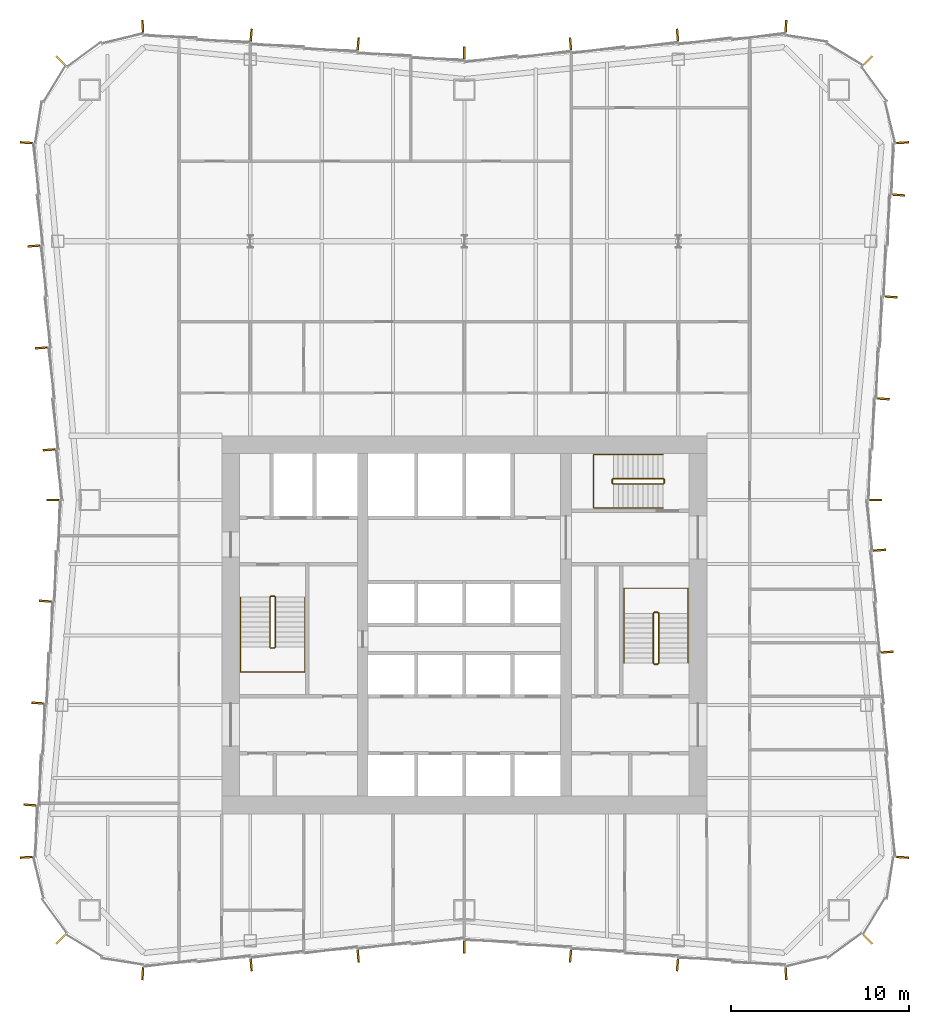
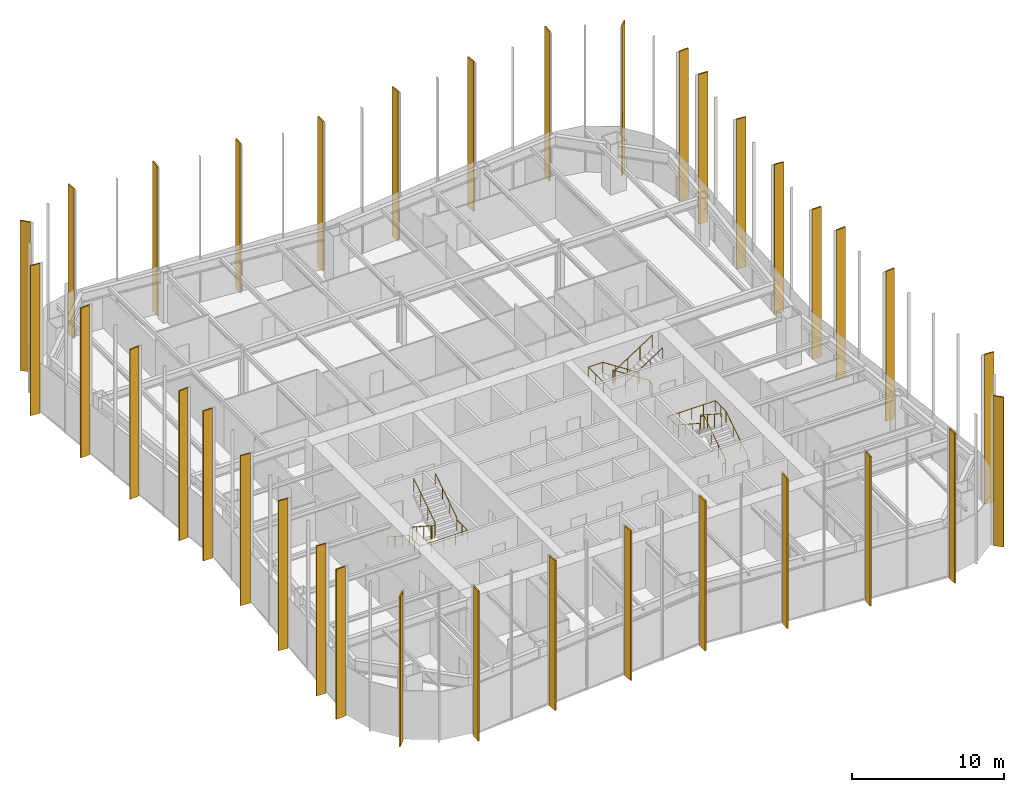
# One storey, part 13 of 13: 35 shading devices, 6 railings.
"""IFC4 building model written with IfcOpenShell, lengths in metres."""

from ifc_helpers import new_model, si_unit, direction, frame, origin, origin_2d, place, context, subcontext, project, spatial, rectangle, circle, extrude, material, layer, layer_set, type_object, element, save


model = new_model("IFC4")

# Units and contexts
model_context = context("Model", 3, precision=1e-05, world=origin(), true_north=direction((0.0, 1.0)))
body_context = subcontext(model_context, "Body", "Model", "MODEL_VIEW")
ifc_project = project(units=[si_unit("LENGTHUNIT", "METRE"), si_unit("AREAUNIT", "SQUARE_METRE"), si_unit("VOLUMEUNIT", "CUBIC_METRE"), si_unit("PLANEANGLEUNIT", "RADIAN"), si_unit("MASSUNIT", "GRAM", prefix="KILO")], contexts=[model_context])

# Site, building, storey
site_placement = place(None, origin())
site = spatial("IfcSite", under=ifc_project, at=site_placement, CompositionType="ELEMENT")
building_placement = place(site_placement, origin())
building = spatial("IfcBuilding", under=site, at=building_placement, Name="Verdant Reach Tower", CompositionType="ELEMENT")
storey_placement = place(building_placement, frame((0.0, 0.0, 138.0)))
storey = spatial("IfcBuildingStorey", under=building, at=storey_placement, Name="L31", CompositionType="ELEMENT", Elevation=138.0)

# Railings
ifc_material_1 = material(Name="Stainless steel", Category="steel")
railing_type_1 = type_object("IfcRailingType", Name="CO-GUARD", PredefinedType="GUARDRAIL", material=ifc_material_1)
railing_1_placement = place(storey_placement, frame((-10.64990234375, 29.60009765625, 0.0)))
element("IfcRailing", 1, at=railing_1_placement, inside=storey, type_object=railing_type_1, Name="L31 ST-1 stair guard 1", PredefinedType="GUARDRAIL", context=body_context, shape_type="SweptSolid", body=[
    extrude(circle(Radius=0.02392578125, at=origin_2d()), frame((0.0, 0.0, 1.076171875), z_axis=(-1.0, 0.0, 0.0), x_axis=(0.0, -1.0, 0.0)), (0.0, 0.0, 1.0), 0.2001953125),
    extrude(circle(Radius=0.02392578125, at=origin_2d()), frame((-0.2001953125, 0.0, 1.076171875), z_axis=(-0.25526617399, -0.256517478764, 0.932222056972), x_axis=(0.708833529934, -0.705375805398, 0.0)), (0.0, 0.0, 1.0), 0.195068359375),
    extrude(circle(Radius=0.02392578125, at=origin_2d()), frame((-0.25, -0.050048828125, 1.2578125), z_axis=(0.0, -0.838705829183, 0.544584733623), x_axis=(1.0, 0.0, 0.0)), (0.0, 0.0, 1.0), 3.338623046875),
    extrude(circle(Radius=0.02392578125, at=origin_2d()), frame((-0.25, -2.85009765625, 3.076171875), z_axis=(0.705375805398, -0.708833529934, 0.0), x_axis=(0.708833529934, 0.705375805398, 0.0)), (0.0, 0.0, 1.0), 0.070556640625),
    extrude(circle(Radius=0.02392578125, at=origin_2d()), frame((-0.2001953125, -2.900146484375, 3.076171875), z_axis=(1.0, 0.0, 0.0), x_axis=(0.0, 1.0, 0.0)), (0.0, 0.0, 1.0), 0.2001953125),
    extrude(circle(Radius=0.02392578125, at=origin_2d()), frame((0.0, -2.900146484375, 3.076171875), z_axis=(0.25526617399, 0.256517478764, 0.932222056972), x_axis=(-0.708833529934, 0.705375805398, 0.0)), (0.0, 0.0, 1.0), 0.195068359375),
    extrude(circle(Radius=0.02392578125, at=origin_2d()), frame((0.0498046875, -2.85009765625, 3.2578125), z_axis=(0.0, 0.838705829183, 0.544584733623), x_axis=(-1.0, 0.0, 0.0)), (0.0, 0.0, 1.0), 3.338623046875),
    extrude(circle(Radius=0.02099609375, at=origin_2d()), origin(), (0.0, 0.0, 1.0), 1.052001953125),
    extrude(circle(Radius=0.02099609375, at=origin_2d()), frame((-0.2001953125, 0.0, 0.0)), (0.0, 0.0, 1.0), 1.052001953125),
    extrude(circle(Radius=0.02099609375, at=origin_2d()), frame((-0.25, -0.050048828125, 0.181884765625)), (0.0, 0.0, 1.0), 1.052001953125),
    extrude(circle(Radius=0.02099609375, at=origin_2d()), frame((-0.25, -0.9833984375, 0.787841796875)), (0.0, 0.0, 1.0), 1.052001953125),
    extrude(circle(Radius=0.02099609375, at=origin_2d()), frame((-0.25, -1.916748046875, 1.39404296875)), (0.0, 0.0, 1.0), 1.052001953125),
    extrude(circle(Radius=0.02099609375, at=origin_2d()), frame((-0.25, -2.85009765625, 2.0)), (0.0, 0.0, 1.0), 1.052001953125),
    extrude(circle(Radius=0.02099609375, at=origin_2d()), frame((-0.2001953125, -2.900146484375, 2.0)), (0.0, 0.0, 1.0), 1.052001953125),
    extrude(circle(Radius=0.02099609375, at=origin_2d()), frame((0.0, -2.900146484375, 2.0)), (0.0, 0.0, 1.0), 1.052001953125),
    extrude(circle(Radius=0.02099609375, at=origin_2d()), frame((0.0498046875, -2.85009765625, 2.181884765625)), (0.0, 0.0, 1.0), 1.052001953125),
    extrude(circle(Radius=0.02099609375, at=origin_2d()), frame((0.0498046875, -1.916748046875, 2.787841796875)), (0.0, 0.0, 1.0), 1.052001953125),
    extrude(circle(Radius=0.02099609375, at=origin_2d()), frame((0.0498046875, -0.9833984375, 3.39404296875)), (0.0, 0.0, 1.0), 1.052001953125),
    extrude(circle(Radius=0.02099609375, at=origin_2d()), frame((0.0498046875, -0.050048828125, 4.0)), (0.0, 0.0, 1.0), 1.052001953125),
])
railing_2_placement = place(storey_placement, frame((10.64990234375, 25.800048828125, 0.0)))
element("IfcRailing", 2, at=railing_2_placement, inside=storey, type_object=railing_type_1, Name="L31 ST-2 stair guard 1", PredefinedType="GUARDRAIL", context=body_context, shape_type="SweptSolid", body=[
    extrude(circle(Radius=0.02392578125, at=origin_2d()), frame((0.0, 0.0, 1.076171875), z_axis=(1.0, 0.0, 0.0), x_axis=(0.0, 1.0, 0.0)), (0.0, 0.0, 1.0), 0.2001953125),
    extrude(circle(Radius=0.02392578125, at=origin_2d()), frame((0.2001953125, 0.0, 1.076171875), z_axis=(0.25526617399, 0.256517478764, 0.932222056972), x_axis=(-0.708833529934, 0.705375805398, 0.0)), (0.0, 0.0, 1.0), 0.195068359375),
    extrude(circle(Radius=0.02392578125, at=origin_2d()), frame((0.25, 0.050048828125, 1.2578125), z_axis=(0.0, 0.83868413941, 0.544618136222), x_axis=(-1.0, 0.0, 0.0)), (0.0, 0.0, 1.0), 3.33837890625),
    extrude(circle(Radius=0.02392578125, at=origin_2d()), frame((0.25, 2.849853515625, 3.076171875), z_axis=(-0.705375805398, 0.708833529934, 0.0), x_axis=(-0.708833529934, -0.705375805398, 0.0)), (0.0, 0.0, 1.0), 0.070556640625),
    extrude(circle(Radius=0.02392578125, at=origin_2d()), frame((0.2001953125, 2.89990234375, 3.076171875), z_axis=(-1.0, 0.0, 0.0), x_axis=(0.0, -1.0, 0.0)), (0.0, 0.0, 1.0), 0.2001953125),
    extrude(circle(Radius=0.02392578125, at=origin_2d()), frame((0.0, 2.89990234375, 3.076171875), z_axis=(-0.25526617399, -0.256517478764, 0.932222056972), x_axis=(0.708833529934, -0.705375805398, 0.0)), (0.0, 0.0, 1.0), 0.195068359375),
    extrude(circle(Radius=0.02392578125, at=origin_2d()), frame((-0.0498046875, 2.849853515625, 3.2578125), z_axis=(0.0, -0.83868413941, 0.544618136222), x_axis=(1.0, 0.0, 0.0)), (0.0, 0.0, 1.0), 3.33837890625),
    extrude(circle(Radius=0.02099609375, at=origin_2d()), origin(), (0.0, 0.0, 1.0), 1.052001953125),
    extrude(circle(Radius=0.02099609375, at=origin_2d()), frame((0.2001953125, 0.0, 0.0)), (0.0, 0.0, 1.0), 1.052001953125),
    extrude(circle(Radius=0.02099609375, at=origin_2d()), frame((0.25, 0.050048828125, 0.181884765625)), (0.0, 0.0, 1.0), 1.052001953125),
    extrude(circle(Radius=0.02099609375, at=origin_2d()), frame((0.25, 0.9833984375, 0.787841796875)), (0.0, 0.0, 1.0), 1.052001953125),
    extrude(circle(Radius=0.02099609375, at=origin_2d()), frame((0.25, 1.91650390625, 1.39404296875)), (0.0, 0.0, 1.0), 1.052001953125),
    extrude(circle(Radius=0.02099609375, at=origin_2d()), frame((0.25, 2.849853515625, 2.0)), (0.0, 0.0, 1.0), 1.052001953125),
    extrude(circle(Radius=0.02099609375, at=origin_2d()), frame((0.2001953125, 2.89990234375, 2.0)), (0.0, 0.0, 1.0), 1.052001953125),
    extrude(circle(Radius=0.02099609375, at=origin_2d()), frame((0.0, 2.89990234375, 2.0)), (0.0, 0.0, 1.0), 1.052001953125),
    extrude(circle(Radius=0.02099609375, at=origin_2d()), frame((-0.0498046875, 2.849853515625, 2.181884765625)), (0.0, 0.0, 1.0), 1.052001953125),
    extrude(circle(Radius=0.02099609375, at=origin_2d()), frame((-0.0498046875, 1.91650390625, 2.787841796875)), (0.0, 0.0, 1.0), 1.052001953125),
    extrude(circle(Radius=0.02099609375, at=origin_2d()), frame((-0.0498046875, 0.9833984375, 3.39404296875)), (0.0, 0.0, 1.0), 1.052001953125),
    extrude(circle(Radius=0.02099609375, at=origin_2d()), frame((-0.0498046875, 0.050048828125, 4.0)), (0.0, 0.0, 1.0), 1.052001953125),
])
railing_3_placement = place(storey_placement, frame((11.199951171875, 35.949951171875, 0.0)))
element("IfcRailing", 3, at=railing_3_placement, inside=storey, type_object=railing_type_1, Name="L31 ST-3 stair guard 1", PredefinedType="GUARDRAIL", context=body_context, shape_type="SweptSolid", body=[
    extrude(circle(Radius=0.02392578125, at=origin_2d()), frame((0.0, 0.0, 1.076171875), z_axis=(0.0, 1.0, 0.0), x_axis=(-1.0, 0.0, 0.0)), (0.0, 0.0, 1.0), 0.199951171875),
    extrude(circle(Radius=0.02392578125, at=origin_2d()), frame((0.0, 0.199951171875, 1.076171875), z_axis=(-0.256435381639, 0.256435381639, 0.931923704005), x_axis=(-0.707106781187, -0.707106781187, 0.0)), (0.0, 0.0, 1.0), 0.195068359375),
    extrude(circle(Radius=0.02392578125, at=origin_2d()), frame((-0.050048828125, 0.25, 1.2578125), z_axis=(-0.83868413941, 0.0, 0.544618136222), x_axis=(0.0, -1.0, 0.0)), (0.0, 0.0, 1.0), 3.33837890625),
    extrude(circle(Radius=0.02392578125, at=origin_2d()), frame((-2.849853515625, 0.25, 3.076171875), z_axis=(-0.707106781187, -0.707106781187, 0.0), x_axis=(0.707106781187, -0.707106781187, 0.0)), (0.0, 0.0, 1.0), 0.07080078125),
    extrude(circle(Radius=0.02392578125, at=origin_2d()), frame((-2.89990234375, 0.199951171875, 3.076171875), z_axis=(0.0, -1.0, 0.0), x_axis=(1.0, 0.0, 0.0)), (0.0, 0.0, 1.0), 0.199951171875),
    extrude(circle(Radius=0.02392578125, at=origin_2d()), frame((-2.89990234375, 0.0, 3.076171875), z_axis=(0.256435381639, -0.256435381639, 0.931923704005), x_axis=(0.707106781187, 0.707106781187, 0.0)), (0.0, 0.0, 1.0), 0.195068359375),
    extrude(circle(Radius=0.02392578125, at=origin_2d()), frame((-2.849853515625, -0.050048828125, 3.2578125), z_axis=(0.83868413941, 0.0, 0.544618136222), x_axis=(0.0, 1.0, 0.0)), (0.0, 0.0, 1.0), 3.33837890625),
    extrude(circle(Radius=0.02099609375, at=origin_2d()), origin(), (0.0, 0.0, 1.0), 1.052001953125),
    extrude(circle(Radius=0.02099609375, at=origin_2d()), frame((0.0, 0.199951171875, 0.0)), (0.0, 0.0, 1.0), 1.052001953125),
    extrude(circle(Radius=0.02099609375, at=origin_2d()), frame((-0.050048828125, 0.25, 0.181884765625)), (0.0, 0.0, 1.0), 1.052001953125),
    extrude(circle(Radius=0.02099609375, at=origin_2d()), frame((-0.9833984375, 0.25, 0.787841796875)), (0.0, 0.0, 1.0), 1.052001953125),
    extrude(circle(Radius=0.02099609375, at=origin_2d()), frame((-1.91650390625, 0.25, 1.39404296875)), (0.0, 0.0, 1.0), 1.052001953125),
    extrude(circle(Radius=0.02099609375, at=origin_2d()), frame((-2.849853515625, 0.25, 2.0)), (0.0, 0.0, 1.0), 1.052001953125),
    extrude(circle(Radius=0.02099609375, at=origin_2d()), frame((-2.89990234375, 0.199951171875, 2.0)), (0.0, 0.0, 1.0), 1.052001953125),
    extrude(circle(Radius=0.02099609375, at=origin_2d()), frame((-2.89990234375, 0.0, 2.0)), (0.0, 0.0, 1.0), 1.052001953125),
    extrude(circle(Radius=0.02099609375, at=origin_2d()), frame((-2.849853515625, -0.050048828125, 2.181884765625)), (0.0, 0.0, 1.0), 1.052001953125),
    extrude(circle(Radius=0.02099609375, at=origin_2d()), frame((-1.91650390625, -0.050048828125, 2.787841796875)), (0.0, 0.0, 1.0), 1.052001953125),
    extrude(circle(Radius=0.02099609375, at=origin_2d()), frame((-0.9833984375, -0.050048828125, 3.39404296875)), (0.0, 0.0, 1.0), 1.052001953125),
    extrude(circle(Radius=0.02099609375, at=origin_2d()), frame((-0.050048828125, -0.050048828125, 4.0)), (0.0, 0.0, 1.0), 1.052001953125),
])
railing_type_2 = type_object("IfcRailingType", Name="CO-HANDRAIL", PredefinedType="HANDRAIL", material=ifc_material_1)
railing_4_placement = place(storey_placement, frame((-12.550048828125, 29.550048828125, 0.181884765625)))
element("IfcRailing", 4, at=railing_4_placement, inside=storey, type_object=railing_type_2, Name="L31 ST-1 stair handrail 1", PredefinedType="HANDRAIL", context=body_context, shape_type="SweptSolid", body=[
    extrude(circle(Radius=0.02392578125, at=origin_2d()), frame((0.0, 0.0, 0.8759765625), z_axis=(0.0, -0.838705829183, 0.544584733623), x_axis=(1.0, 0.0, 0.0)), (0.0, 0.0, 1.0), 3.338623046875),
    extrude(circle(Radius=0.02392578125, at=origin_2d()), frame((0.0, -2.800048828125, 2.69384765625), z_axis=(0.0, -1.0, 0.0), x_axis=(1.0, 0.0, 0.0)), (0.0, 0.0, 1.0), 1.39990234375),
    extrude(circle(Radius=0.02392578125, at=origin_2d()), frame((0.0, -4.199951171875, 2.69384765625), z_axis=(1.0, 0.0, 0.0), x_axis=(0.0, 1.0, 0.0)), (0.0, 0.0, 1.0), 3.60009765625),
    extrude(circle(Radius=0.02392578125, at=origin_2d()), frame((3.60009765625, -4.199951171875, 2.69384765625), z_axis=(0.0, 1.0, 0.0), x_axis=(-1.0, 0.0, 0.0)), (0.0, 0.0, 1.0), 1.39990234375),
    extrude(circle(Radius=0.02392578125, at=origin_2d()), frame((3.60009765625, -2.800048828125, 2.69384765625), z_axis=(0.0, 0.0, 1.0), x_axis=(1.0, 0.0, 0.0)), (0.0, 0.0, 1.0), 0.181884765625),
    extrude(circle(Radius=0.02392578125, at=origin_2d()), frame((3.60009765625, -2.800048828125, 2.8759765625), z_axis=(0.0, 0.838705829183, 0.544584733623), x_axis=(-1.0, 0.0, 0.0)), (0.0, 0.0, 1.0), 3.338623046875),
    extrude(circle(Radius=0.02099609375, at=origin_2d()), origin(), (0.0, 0.0, 1.0), 0.851806640625),
    extrude(circle(Radius=0.02099609375, at=origin_2d()), frame((0.0, -0.933349609375, 0.60595703125)), (0.0, 0.0, 1.0), 0.851806640625),
    extrude(circle(Radius=0.02099609375, at=origin_2d()), frame((0.0, -1.86669921875, 1.212158203125)), (0.0, 0.0, 1.0), 0.851806640625),
    extrude(circle(Radius=0.02099609375, at=origin_2d()), frame((0.0, -2.800048828125, 1.818115234375)), (0.0, 0.0, 1.0), 0.851806640625),
    extrude(circle(Radius=0.02099609375, at=origin_2d()), frame((0.0, -3.5, 1.818115234375)), (0.0, 0.0, 1.0), 0.851806640625),
    extrude(circle(Radius=0.02099609375, at=origin_2d()), frame((0.0, -4.199951171875, 1.818115234375)), (0.0, 0.0, 1.0), 0.851806640625),
    extrude(circle(Radius=0.02099609375, at=origin_2d()), frame((0.89990234375, -4.199951171875, 1.818115234375)), (0.0, 0.0, 1.0), 0.851806640625),
    extrude(circle(Radius=0.02099609375, at=origin_2d()), frame((1.800048828125, -4.199951171875, 1.818115234375)), (0.0, 0.0, 1.0), 0.851806640625),
    extrude(circle(Radius=0.02099609375, at=origin_2d()), frame((2.7001953125, -4.199951171875, 1.818115234375)), (0.0, 0.0, 1.0), 0.851806640625),
    extrude(circle(Radius=0.02099609375, at=origin_2d()), frame((3.60009765625, -4.199951171875, 1.818115234375)), (0.0, 0.0, 1.0), 0.851806640625),
    extrude(circle(Radius=0.02099609375, at=origin_2d()), frame((3.60009765625, -3.5, 1.818115234375)), (0.0, 0.0, 1.0), 0.851806640625),
    extrude(circle(Radius=0.02099609375, at=origin_2d()), frame((3.60009765625, -2.800048828125, 1.818115234375)), (0.0, 0.0, 1.0), 0.851806640625),
    extrude(circle(Radius=0.02099609375, at=origin_2d()), frame((3.60009765625, -2.800048828125, 2.0)), (0.0, 0.0, 1.0), 0.851806640625),
    extrude(circle(Radius=0.02099609375, at=origin_2d()), frame((3.60009765625, -1.86669921875, 2.60595703125)), (0.0, 0.0, 1.0), 0.851806640625),
    extrude(circle(Radius=0.02099609375, at=origin_2d()), frame((3.60009765625, -0.933349609375, 3.212158203125)), (0.0, 0.0, 1.0), 0.851806640625),
    extrude(circle(Radius=0.02099609375, at=origin_2d()), frame((3.60009765625, 0.0, 3.818115234375)), (0.0, 0.0, 1.0), 0.851806640625),
])
railing_5_placement = place(storey_placement, frame((12.550048828125, 25.85009765625, 0.181884765625)))
element("IfcRailing", 5, at=railing_5_placement, inside=storey, type_object=railing_type_2, Name="L31 ST-2 stair handrail 1", PredefinedType="HANDRAIL", context=body_context, shape_type="SweptSolid", body=[
    extrude(circle(Radius=0.02392578125, at=origin_2d()), frame((0.0, 0.0, 0.8759765625), z_axis=(0.0, 0.83868413941, 0.544618136222), x_axis=(-1.0, 0.0, 0.0)), (0.0, 0.0, 1.0), 3.33837890625),
    extrude(circle(Radius=0.02392578125, at=origin_2d()), frame((0.0, 2.7998046875, 2.69384765625), z_axis=(0.0, 1.0, 0.0), x_axis=(-1.0, 0.0, 0.0)), (0.0, 0.0, 1.0), 1.400146484375),
    extrude(circle(Radius=0.02392578125, at=origin_2d()), frame((0.0, 4.199951171875, 2.69384765625), z_axis=(-1.0, 0.0, 0.0), x_axis=(0.0, -1.0, 0.0)), (0.0, 0.0, 1.0), 3.60009765625),
    extrude(circle(Radius=0.02392578125, at=origin_2d()), frame((-3.60009765625, 4.199951171875, 2.69384765625), z_axis=(0.0, -1.0, 0.0), x_axis=(1.0, 0.0, 0.0)), (0.0, 0.0, 1.0), 1.400146484375),
    extrude(circle(Radius=0.02392578125, at=origin_2d()), frame((-3.60009765625, 2.7998046875, 2.69384765625), z_axis=(0.0, 0.0, 1.0), x_axis=(1.0, 0.0, 0.0)), (0.0, 0.0, 1.0), 0.181884765625),
    extrude(circle(Radius=0.02392578125, at=origin_2d()), frame((-3.60009765625, 2.7998046875, 2.8759765625), z_axis=(0.0, -0.83868413941, 0.544618136222), x_axis=(1.0, 0.0, 0.0)), (0.0, 0.0, 1.0), 3.33837890625),
    extrude(circle(Radius=0.02099609375, at=origin_2d()), origin(), (0.0, 0.0, 1.0), 0.851806640625),
    extrude(circle(Radius=0.02099609375, at=origin_2d()), frame((0.0, 0.933349609375, 0.60595703125)), (0.0, 0.0, 1.0), 0.851806640625),
    extrude(circle(Radius=0.02099609375, at=origin_2d()), frame((0.0, 1.866455078125, 1.212158203125)), (0.0, 0.0, 1.0), 0.851806640625),
    extrude(circle(Radius=0.02099609375, at=origin_2d()), frame((0.0, 2.7998046875, 1.818115234375)), (0.0, 0.0, 1.0), 0.851806640625),
    extrude(circle(Radius=0.02099609375, at=origin_2d()), frame((0.0, 3.5, 1.818115234375)), (0.0, 0.0, 1.0), 0.851806640625),
    extrude(circle(Radius=0.02099609375, at=origin_2d()), frame((0.0, 4.199951171875, 1.818115234375)), (0.0, 0.0, 1.0), 0.851806640625),
    extrude(circle(Radius=0.02099609375, at=origin_2d()), frame((-0.89990234375, 4.199951171875, 1.818115234375)), (0.0, 0.0, 1.0), 0.851806640625),
    extrude(circle(Radius=0.02099609375, at=origin_2d()), frame((-1.800048828125, 4.199951171875, 1.818115234375)), (0.0, 0.0, 1.0), 0.851806640625),
    extrude(circle(Radius=0.02099609375, at=origin_2d()), frame((-2.7001953125, 4.199951171875, 1.818115234375)), (0.0, 0.0, 1.0), 0.851806640625),
    extrude(circle(Radius=0.02099609375, at=origin_2d()), frame((-3.60009765625, 4.199951171875, 1.818115234375)), (0.0, 0.0, 1.0), 0.851806640625),
    extrude(circle(Radius=0.02099609375, at=origin_2d()), frame((-3.60009765625, 3.5, 1.818115234375)), (0.0, 0.0, 1.0), 0.851806640625),
    extrude(circle(Radius=0.02099609375, at=origin_2d()), frame((-3.60009765625, 2.7998046875, 1.818115234375)), (0.0, 0.0, 1.0), 0.851806640625),
    extrude(circle(Radius=0.02099609375, at=origin_2d()), frame((-3.60009765625, 2.7998046875, 2.0)), (0.0, 0.0, 1.0), 0.851806640625),
    extrude(circle(Radius=0.02099609375, at=origin_2d()), frame((-3.60009765625, 1.866455078125, 2.60595703125)), (0.0, 0.0, 1.0), 0.851806640625),
    extrude(circle(Radius=0.02099609375, at=origin_2d()), frame((-3.60009765625, 0.933349609375, 3.212158203125)), (0.0, 0.0, 1.0), 0.851806640625),
    extrude(circle(Radius=0.02099609375, at=origin_2d()), frame((-3.60009765625, 0.0, 3.818115234375)), (0.0, 0.0, 1.0), 0.851806640625),
])
railing_6_placement = place(storey_placement, frame((11.14990234375, 37.550048828125, 0.181884765625)))
element("IfcRailing", 6, at=railing_6_placement, inside=storey, type_object=railing_type_2, Name="L31 ST-3 stair handrail 1", PredefinedType="HANDRAIL", context=body_context, shape_type="SweptSolid", body=[
    extrude(circle(Radius=0.02392578125, at=origin_2d()), frame((0.0, 0.0, 0.8759765625), z_axis=(-0.83868413941, 0.0, 0.544618136222), x_axis=(0.0, -1.0, 0.0)), (0.0, 0.0, 1.0), 3.33837890625),
    extrude(circle(Radius=0.02392578125, at=origin_2d()), frame((-2.7998046875, 0.0, 2.69384765625), z_axis=(-1.0, 0.0, 0.0), x_axis=(0.0, -1.0, 0.0)), (0.0, 0.0, 1.0), 1.10009765625),
    extrude(circle(Radius=0.02392578125, at=origin_2d()), frame((-3.89990234375, 0.0, 2.69384765625), z_axis=(0.0, -1.0, 0.0), x_axis=(1.0, 0.0, 0.0)), (0.0, 0.0, 1.0), 3.0),
    extrude(circle(Radius=0.02392578125, at=origin_2d()), frame((-3.89990234375, -3.0, 2.69384765625), z_axis=(1.0, 0.0, 0.0), x_axis=(0.0, 1.0, 0.0)), (0.0, 0.0, 1.0), 1.10009765625),
    extrude(circle(Radius=0.02392578125, at=origin_2d()), frame((-2.7998046875, -3.0, 2.69384765625), z_axis=(0.0, 0.0, 1.0), x_axis=(1.0, 0.0, 0.0)), (0.0, 0.0, 1.0), 0.181884765625),
    extrude(circle(Radius=0.02392578125, at=origin_2d()), frame((-2.7998046875, -3.0, 2.8759765625), z_axis=(0.83868413941, 0.0, 0.544618136222), x_axis=(0.0, 1.0, 0.0)), (0.0, 0.0, 1.0), 3.33837890625),
    extrude(circle(Radius=0.02099609375, at=origin_2d()), origin(), (0.0, 0.0, 1.0), 0.851806640625),
    extrude(circle(Radius=0.02099609375, at=origin_2d()), frame((-0.933349609375, 0.0, 0.60595703125)), (0.0, 0.0, 1.0), 0.851806640625),
    extrude(circle(Radius=0.02099609375, at=origin_2d()), frame((-1.866455078125, 0.0, 1.212158203125)), (0.0, 0.0, 1.0), 0.851806640625),
    extrude(circle(Radius=0.02099609375, at=origin_2d()), frame((-2.7998046875, 0.0, 1.818115234375)), (0.0, 0.0, 1.0), 0.851806640625),
    extrude(circle(Radius=0.02099609375, at=origin_2d()), frame((-3.89990234375, 0.0, 1.818115234375)), (0.0, 0.0, 1.0), 0.851806640625),
    extrude(circle(Radius=0.02099609375, at=origin_2d()), frame((-3.89990234375, -1.0, 1.818115234375)), (0.0, 0.0, 1.0), 0.851806640625),
    extrude(circle(Radius=0.02099609375, at=origin_2d()), frame((-3.89990234375, -2.0, 1.818115234375)), (0.0, 0.0, 1.0), 0.851806640625),
    extrude(circle(Radius=0.02099609375, at=origin_2d()), frame((-3.89990234375, -3.0, 1.818115234375)), (0.0, 0.0, 1.0), 0.851806640625),
    extrude(circle(Radius=0.02099609375, at=origin_2d()), frame((-2.7998046875, -3.0, 1.818115234375)), (0.0, 0.0, 1.0), 0.851806640625),
    extrude(circle(Radius=0.02099609375, at=origin_2d()), frame((-2.7998046875, -3.0, 2.0)), (0.0, 0.0, 1.0), 0.851806640625),
    extrude(circle(Radius=0.02099609375, at=origin_2d()), frame((-1.866455078125, -3.0, 2.60595703125)), (0.0, 0.0, 1.0), 0.851806640625),
    extrude(circle(Radius=0.02099609375, at=origin_2d()), frame((-0.933349609375, -3.0, 3.212158203125)), (0.0, 0.0, 1.0), 0.851806640625),
    extrude(circle(Radius=0.02099609375, at=origin_2d()), frame((0.0, -3.0, 3.818115234375)), (0.0, 0.0, 1.0), 0.851806640625),
])

# Shading devices
ifc_material_2 = material(Name="Bronze fin, champagne", Category="aluminium")
ifc_layer_1 = layer(ifc_material_2, 0.10009765625)
ifc_layer_set_1 = layer_set([ifc_layer_1], Name="EN-FIN CHAMPAGNE")
shading_device_type_1 = type_object("IfcShadingDeviceType", Name="EN-FIN CHAMPAGNE", PredefinedType="USERDEFINED", material=ifc_layer_set_1)
for number, where, z_axis, x_axis, name in (
    (7, (23.489013671875, 40.67236328125, -0.35009765625), (0.0, 0.0, 1.0), (0.074789948245, 0.997199309888, 0.0), "Fin east face part 2 3, L31"),
    (8, (23.91748046875, 46.386474609375, -0.35009765625), (0.0, 0.0, 1.0), (0.074789948245, 0.997199309888, 0.0), "Fin east face part 2 5, L31"),
    (9, (22.639892578125, 59.639892578125, -0.35009765625), (0.0, 0.0, 1.0), (-0.707106781187, 0.707106781187, 0.0), "Fin north-east corner 3, L31"),
    (10, (18.03173828125, 61.56103515625, -0.35009765625), (0.0, 0.0, 1.0), (-0.998398681387, 0.056569187765, 0.0), "Fin north face part 1 1, L31"),
    (11, (-5.953369140625, 60.56005859375, -0.35009765625), (0.0, 0.0, 1.0), (-0.996545758244, 0.083045479859, 0.0), "Fin north face part 2 3, L31"),
    (12, (-18.03173828125, 61.56103515625, -0.35009765625), (0.0, 0.0, 1.0), (-0.998398681387, -0.056569187765, 0.0), "Fin north-west corner 1, L31"),
    (13, (-23.274658203125, 37.815185546875, -0.35009765625), (0.0, 0.0, 1.0), (0.074789948245, -0.997199309888, 0.0), "Fin west face part 1 7, L31"),
    (14, (-23.06201171875, 35.0, -0.35009765625), (0.0, 0.0, 1.0), (0.0, -1.0, 0.0), "Fin west face part 2 1, L31"),
    (15, (-24.34619140625, 17.899169921875, -0.35009765625), (0.0, 0.0, 1.0), (-0.074789948245, -0.997199309888, 0.0), "Fin west face part 2 7, L31"),
    (16, (-5.953369140625, 9.43994140625, -0.35009765625), (0.0, 0.0, 1.0), (0.996545758244, 0.083045479859, 0.0), "Fin south face part 1 5, L31"),
    (17, (11.953369140625, 8.93994140625, -0.35009765625), (0.0, 0.0, 1.0), (0.996545758244, -0.083045479859, 0.0), "Fin south face part 2 5, L31"),
):
    element("IfcShadingDevice", number, at=place(storey_placement, frame(where, z_axis=z_axis, x_axis=x_axis)), inside=storey, type_object=shading_device_type_1, Name=name, ObjectType="FIN", PredefinedType="USERDEFINED", context=body_context, shape_type="SweptSolid", body=[
        extrude(rectangle(XDim=0.10009765625, YDim=0.699951171875, at=origin_2d()), origin(), (0.0, 0.0, 1.0), 12.0),
    ])
ifc_material_3 = material(Name="Bronze fin, copper", Category="aluminium")
ifc_layer_2 = layer(ifc_material_3, 0.10009765625)
ifc_layer_set_2 = layer_set([ifc_layer_2], Name="EN-FIN COPPER")
shading_device_type_2 = type_object("IfcShadingDeviceType", Name="EN-FIN COPPER", PredefinedType="USERDEFINED", material=ifc_layer_set_2)
for number, where, z_axis, x_axis, name in (
    (18, (23.703369140625, 26.470703125, -0.35009765625), (0.0, 0.0, 1.0), (-0.074789948245, 0.997199309888, 0.0), "Fin east face part 1 5, L31"),
    (19, (24.34619140625, 52.100830078125, -0.35009765625), (0.0, 0.0, 1.0), (0.074789948245, 0.997199309888, 0.0), "Fin east face part 2 7, L31"),
    (20, (11.953369140625, 61.06005859375, -0.35009765625), (0.0, 0.0, 1.0), (-0.996545758244, -0.083045479859, 0.0), "Fin north face part 1 3, L31"),
    (21, (-11.953369140625, 61.06005859375, -0.35009765625), (0.0, 0.0, 1.0), (-0.996545758244, 0.083045479859, 0.0), "Fin north face part 2 5, L31"),
    (22, (-22.639892578125, 59.639892578125, -0.35009765625), (0.0, 0.0, 1.0), (-0.707106781187, -0.707106781187, 0.0), "Fin north-west corner 3, L31"),
    (23, (-24.56103515625, 55.0341796875, -0.35009765625), (0.0, 0.0, 1.0), (-0.060702752526, -0.998155887542, 0.0), "Fin west face part 1 1, L31"),
    (24, (-23.489013671875, 29.32763671875, -0.35009765625), (0.0, 0.0, 1.0), (-0.074789948245, -0.997199309888, 0.0), "Fin west face part 2 3, L31"),
    (25, (-24.56103515625, 14.9658203125, -0.35009765625), (0.0, 0.0, 1.0), (0.060702752526, -0.998155887542, 0.0), "Fin south-west corner 1, L31"),
    (26, (0.0, 9.93798828125, -0.35009765625), (0.0, 0.0, 1.0), (1.0, 0.0, 0.0), "Fin south face part 2 1, L31"),
):
    element("IfcShadingDevice", number, at=place(storey_placement, frame(where, z_axis=z_axis, x_axis=x_axis)), inside=storey, type_object=shading_device_type_2, Name=name, ObjectType="FIN", PredefinedType="USERDEFINED", context=body_context, shape_type="SweptSolid", body=[
        extrude(rectangle(XDim=0.10009765625, YDim=0.699951171875, at=origin_2d()), origin(), (0.0, 0.0, 1.0), 12.0),
    ])
ifc_material_4 = material(Name="Bronze fin, dark bronze", Category="aluminium")
ifc_layer_3 = layer(ifc_material_4, 0.10009765625)
ifc_layer_set_3 = layer_set([ifc_layer_3], Name="EN-FIN DARK")
shading_device_type_3 = type_object("IfcShadingDeviceType", Name="EN-FIN DARK", PredefinedType="USERDEFINED", material=ifc_layer_set_3)
for number, where, z_axis, x_axis, name in (
    (27, (18.03173828125, 8.43896484375, -0.35009765625), (0.0, 0.0, 1.0), (0.998398681387, 0.056569187765, 0.0), "Fin south-east corner 1, L31"),
    (28, (22.639892578125, 10.360107421875, -0.35009765625), (0.0, 0.0, 1.0), (0.707106781187, 0.707106781187, 0.0), "Fin south-east corner 3, L31"),
    (29, (24.56103515625, 14.9658203125, -0.35009765625), (0.0, 0.0, 1.0), (0.060702752526, 0.998155887542, 0.0), "Fin east face part 1 1, L31"),
    (30, (23.274658203125, 32.184814453125, -0.35009765625), (0.0, 0.0, 1.0), (-0.074789948245, 0.997199309888, 0.0), "Fin east face part 1 7, L31"),
    (31, (23.06201171875, 35.0, -0.35009765625), (0.0, 0.0, 1.0), (0.0, 1.0, 0.0), "Fin east face part 2 1, L31"),
    (32, (24.56103515625, 55.0341796875, -0.35009765625), (0.0, 0.0, 1.0), (-0.060702752526, 0.998155887542, 0.0), "Fin north-east corner 1, L31"),
    (33, (5.953369140625, 60.56005859375, -0.35009765625), (0.0, 0.0, 1.0), (-0.996545758244, -0.083045479859, 0.0), "Fin north face part 1 5, L31"),
    (34, (0.0, 60.06201171875, -0.35009765625), (0.0, 0.0, 1.0), (-1.0, 0.0, 0.0), "Fin north face part 2 1, L31"),
    (35, (-24.1318359375, 49.24365234375, -0.35009765625), (0.0, 0.0, 1.0), (0.074789948245, -0.997199309888, 0.0), "Fin west face part 1 3, L31"),
    (36, (-23.703369140625, 43.529296875, -0.35009765625), (0.0, 0.0, 1.0), (0.074789948245, -0.997199309888, 0.0), "Fin west face part 1 5, L31"),
    (37, (-23.91748046875, 23.613525390625, -0.35009765625), (0.0, 0.0, 1.0), (-0.074789948245, -0.997199309888, 0.0), "Fin west face part 2 5, L31"),
    (38, (-22.639892578125, 10.360107421875, -0.35009765625), (0.0, 0.0, 1.0), (0.707106781187, -0.707106781187, 0.0), "Fin south-west corner 3, L31"),
    (39, (-18.03173828125, 8.43896484375, -0.35009765625), (0.0, 0.0, 1.0), (0.998398681387, -0.056569187765, 0.0), "Fin south face part 1 1, L31"),
    (40, (-11.953369140625, 8.93994140625, -0.35009765625), (0.0, 0.0, 1.0), (0.996545758244, 0.083045479859, 0.0), "Fin south face part 1 3, L31"),
    (41, (5.953369140625, 9.43994140625, -0.35009765625), (0.0, 0.0, 1.0), (0.996545758244, -0.083045479859, 0.0), "Fin south face part 2 3, L31"),
):
    element("IfcShadingDevice", number, at=place(storey_placement, frame(where, z_axis=z_axis, x_axis=x_axis)), inside=storey, type_object=shading_device_type_3, Name=name, ObjectType="FIN", PredefinedType="USERDEFINED", context=body_context, shape_type="SweptSolid", body=[
        extrude(rectangle(XDim=0.10009765625, YDim=0.699951171875, at=origin_2d()), origin(), (0.0, 0.0, 1.0), 12.0),
    ])

save(model, "model.ifc")
